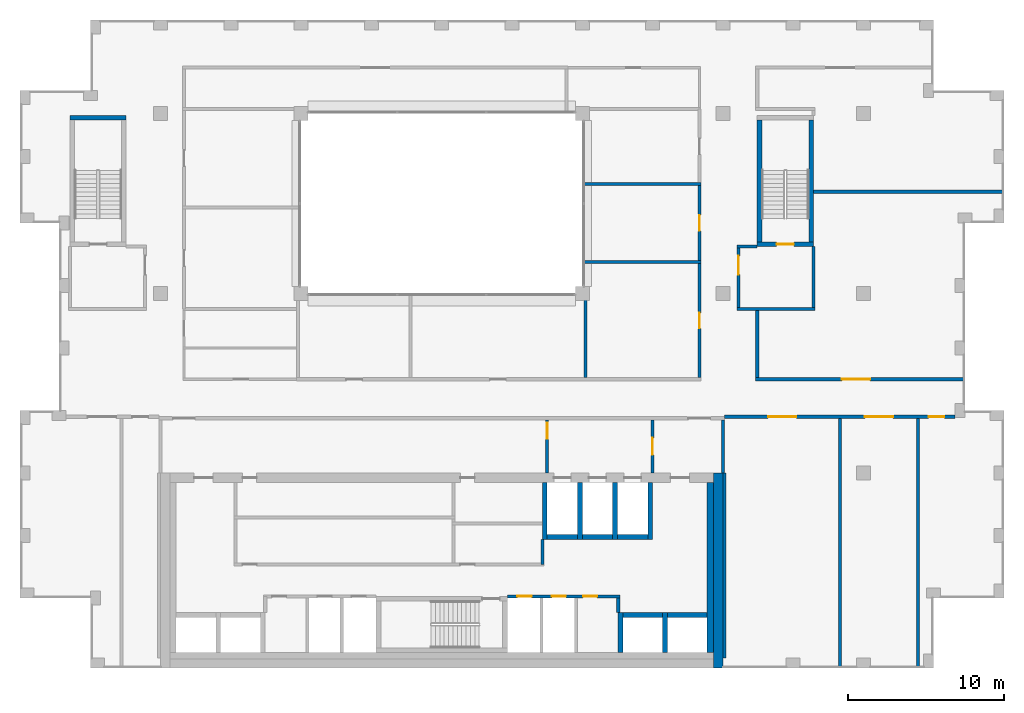
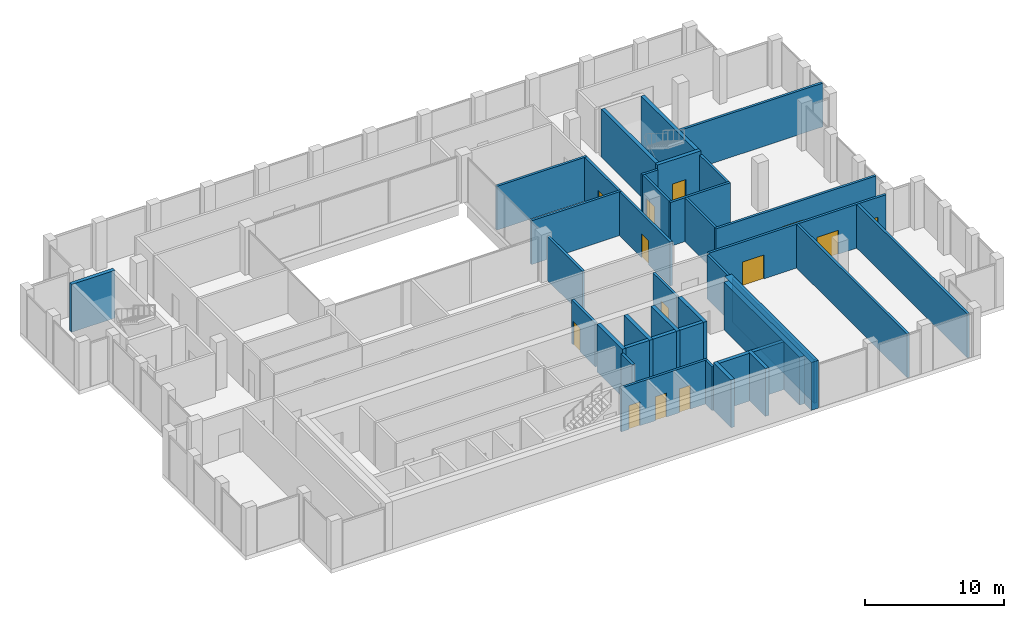
# One storey, part 12 of 15: 39 walls, 13 doors, 13 openings.
"""IFC4 building model written with IfcOpenShell, lengths in metres."""

from ifc_helpers import new_model, si_unit, direction, frame, frame_2d, origin, place, context, subcontext, project, spatial, rectangle, extrude, material, layer, layer_set, type_object, element, fill, save


model = new_model("IFC4")

# Units and contexts
model_context = context("Model", 3, precision=1e-05, world=origin(), true_north=direction((0.0, 1.0)))
body_context = subcontext(model_context, "Body", "Model", "MODEL_VIEW")
ifc_project = project(units=[si_unit("LENGTHUNIT", "METRE"), si_unit("AREAUNIT", "SQUARE_METRE"), si_unit("VOLUMEUNIT", "CUBIC_METRE"), si_unit("PLANEANGLEUNIT", "RADIAN"), si_unit("MASSUNIT", "GRAM", prefix="KILO")], contexts=[model_context])

# Site, building, storey
site_placement = place(None, origin())
site = spatial("IfcSite", under=ifc_project, at=site_placement, CompositionType="ELEMENT")
building_placement = place(site_placement, origin())
building = spatial("IfcBuilding", under=site, at=building_placement, Name="Brigalow Station Residences", CompositionType="ELEMENT")
storey_placement = place(building_placement, frame((0.0, 0.0, 235.800048828125)))
storey = spatial("IfcBuildingStorey", under=building, at=storey_placement, Name="L68", CompositionType="ELEMENT", Elevation=235.800048828125)

# Walls
ifc_material_1 = material(Name="Concrete C50", Category="concrete")
ifc_layer_1 = layer(ifc_material_1, 0.300048828125)
ifc_layer_set_1 = layer_set([ifc_layer_1], Name="CORE SHEAR WALL 300 C50")
wall_type_1 = type_object("IfcWallType", Name="CORE SHEAR WALL 300 C50", PredefinedType="SHEAR", material=ifc_layer_set_1)
wall_1_placement = place(storey_placement, frame((42.75, 8.39990234375, 0.0), z_axis=(0.0, 0.0, 1.0), x_axis=(1.0, 0.0, 0.0)))
element("IfcWall", 1, at=wall_1_placement, inside=storey, type_object=wall_type_1, Name="CORE WALL SH-FF1-S L68", PredefinedType="SHEAR", context=body_context, shape_type="SweptSolid", body=[
    extrude(rectangle(XDim=1.949951171875, YDim=0.300048828125, at=frame_2d((0.97509765625, 0.0))), origin(), (0.0, 0.0, 1.0), 4.199951171875),
])
wall_2_placement = place(storey_placement, frame((42.60009765625, 8.25, 0.0), z_axis=(0.0, 0.0, 1.0), x_axis=(0.0, 1.0, 0.0)))
element("IfcWall", 2, at=wall_2_placement, inside=storey, type_object=wall_type_1, Name="CORE WALL SH-FF1-W L68", PredefinedType="SHEAR", context=body_context, shape_type="SweptSolid", body=[
    extrude(rectangle(XDim=3.64990234375, YDim=0.300048828125, at=frame_2d((1.824951171875, 0.0))), origin(), (0.0, 0.0, 1.0), 4.199951171875),
])
wall_3_placement = place(storey_placement, frame((45.0, 8.39990234375, 0.0), z_axis=(0.0, 0.0, 1.0), x_axis=(1.0, 0.0, 0.0)))
element("IfcWall", 3, at=wall_3_placement, inside=storey, type_object=wall_type_1, Name="CORE WALL SH-FF2-S L68", PredefinedType="SHEAR", context=body_context, shape_type="SweptSolid", body=[
    extrude(rectangle(XDim=1.949951171875, YDim=0.300048828125, at=frame_2d((0.97509765625, 0.0))), origin(), (0.0, 0.0, 1.0), 4.199951171875),
])
wall_4_placement = place(storey_placement, frame((44.85009765625, 8.25, 0.0), z_axis=(0.0, 0.0, 1.0), x_axis=(0.0, 1.0, 0.0)))
element("IfcWall", 4, at=wall_4_placement, inside=storey, type_object=wall_type_1, Name="CORE WALL SH-FF2-W L68", PredefinedType="SHEAR", context=body_context, shape_type="SweptSolid", body=[
    extrude(rectangle(XDim=3.64990234375, YDim=0.300048828125, at=frame_2d((1.824951171875, 0.0))), origin(), (0.0, 0.0, 1.0), 4.199951171875),
])
wall_5_placement = place(storey_placement, frame((47.25, 8.39990234375, 0.0), z_axis=(0.0, 0.0, 1.0), x_axis=(1.0, 0.0, 0.0)))
element("IfcWall", 5, at=wall_5_placement, inside=storey, type_object=wall_type_1, Name="CORE WALL SH-SL1-S L68", PredefinedType="SHEAR", context=body_context, shape_type="SweptSolid", body=[
    extrude(rectangle(XDim=1.949951171875, YDim=0.300048828125, at=frame_2d((0.97509765625, 0.0))), origin(), (0.0, 0.0, 1.0), 4.199951171875),
])
for number, where, z_axis, x_axis, name in (
    (6, (47.10009765625, 8.25, 0.0), (0.0, 0.0, 1.0), (0.0, 1.0, 0.0), "CORE WALL SH-SL1-W L68"),
    (7, (49.35009765625, 8.25, 0.0), (0.0, 0.0, 1.0), (0.0, 1.0, 0.0), "CORE WALL SH-SL1-E L68"),
):
    element("IfcWall", number, at=place(storey_placement, frame(where, z_axis=z_axis, x_axis=x_axis)), inside=storey, type_object=wall_type_1, Name=name, PredefinedType="SHEAR", context=body_context, shape_type="SweptSolid", body=[
        extrude(rectangle(XDim=3.64990234375, YDim=0.300048828125, at=frame_2d((1.824951171875, 0.0))), origin(), (0.0, 0.0, 1.0), 4.199951171875),
    ])
wall_6_placement = place(storey_placement, frame((47.60009765625, 3.39990234375, 0.0), z_axis=(0.0, 0.0, 1.0), x_axis=(1.0, 0.0, 0.0)))
element("IfcWall", 8, at=wall_6_placement, inside=storey, type_object=wall_type_1, Name="CORE WALL SH-C3-N L68", PredefinedType="SHEAR", context=body_context, shape_type="SweptSolid", body=[
    extrude(rectangle(XDim=2.5498046875, YDim=0.300048828125, at=frame_2d((1.27490234375, 0.0))), origin(), (0.0, 0.0, 1.0), 4.199951171875),
])
for number, where, z_axis, x_axis, name in (
    (9, (47.449951171875, 1.0, 0.0), (0.0, 0.0, 1.0), (0.0, 1.0, 0.0), "CORE WALL SH-C3-W L68"),
    (10, (50.449951171875, 3.39990234375, 0.0), (0.0, 0.0, 1.0), (1.0, 0.0, 0.0), "CORE WALL SH-C4-N L68"),
    (11, (50.300048828125, 1.0, 0.0), (0.0, 0.0, 1.0), (0.0, 1.0, 0.0), "CORE WALL SH-C4-W L68"),
):
    element("IfcWall", number, at=place(storey_placement, frame(where, z_axis=z_axis, x_axis=x_axis)), inside=storey, type_object=wall_type_1, Name=name, PredefinedType="SHEAR", context=body_context, shape_type="SweptSolid", body=[
        extrude(rectangle(XDim=2.550048828125, YDim=0.300048828125, at=frame_2d((1.27490234375, 0.0))), origin(), (0.0, 0.0, 1.0), 4.199951171875),
    ])
wall_7_placement = place(storey_placement, frame((12.199951171875, 35.25, 0.0), z_axis=(0.0, 0.0, 1.0), x_axis=(1.0, 0.0, 0.0)))
element("IfcWall", 12, at=wall_7_placement, inside=storey, type_object=wall_type_1, Name="CORE WALL ST-S1-N L68", PredefinedType="SHEAR", context=body_context, shape_type="SweptSolid", body=[
    extrude(rectangle(XDim=3.60009765625, YDim=0.300048828125, at=frame_2d((1.800048828125, 0.0))), origin(), (0.0, 0.0, 1.0), 4.199951171875),
])

# Wall, opening, door
wall_8_placement = place(storey_placement, frame((56.199951171875, 27.14990234375, 0.0), z_axis=(0.0, 0.0, 1.0), x_axis=(1.0, 0.0, 0.0)))
wall_8 = element("IfcWall", 13, at=wall_8_placement, inside=storey, type_object=wall_type_1, Name="CORE WALL ST-S3-S L68", PredefinedType="SHEAR", context=body_context, shape_type="SweptSolid", body=[
    extrude(rectangle(XDim=3.60009765625, YDim=0.300048828125, at=frame_2d((1.800048828125, 0.0))), origin(), (0.0, 0.0, 1.0), 4.199951171875),
])
opening_1_placement = place(wall_8_placement, frame((1.25, 0.0, 0.0)))
opening_1 = element("IfcOpeningElement", 14, at=opening_1_placement, cuts=wall_8, Name="Opening D-5018", PredefinedType="OPENING", context=body_context, shape_type="SweptSolid", body=[
    extrude(rectangle(XDim=1.10009765625, YDim=2.10009765625, at=frame_2d((0.550048828125, 1.050048828125))), frame((0.0, 0.16015625, 0.0), z_axis=(0.0, -1.0, 0.0), x_axis=(1.0, 0.0, 0.0)), (0.0, 0.0, 1.0), 0.320068359375),
])
ifc_material_2 = material(Name="Steel fire door leaf in steel frame", Category="steel")
door_type_1 = type_object("IfcDoorType", Name="STAIR DOOR 1100 x 2100 FD60S", OperationType="SINGLE_SWING_LEFT", PredefinedType="DOOR", material=ifc_material_2)
door_1_placement = place(opening_1_placement, origin())
door_1 = element("IfcDoor", 15, at=door_1_placement, inside=storey, type_object=door_type_1, Name="D-5018", OperationType="SINGLE_SWING_RIGHT", OverallHeight=2.10009765625, OverallWidth=1.10009765625, PredefinedType="DOOR", context=body_context, shape_type="SweptSolid", body=[
    extrude(rectangle(XDim=1.10009765625, YDim=2.10009765625, at=frame_2d((0.550048828125, 1.050048828125))), frame((0.0, 0.02490234375, 0.0), z_axis=(0.0, -1.0, 0.0), x_axis=(1.0, 0.0, 0.0)), (0.0, 0.0, 1.0), 0.050048828125),
])
fill(opening_1, door_1)

# Walls
for number, where, z_axis, x_axis, name in (
    (16, (56.35009765625, 27.300048828125, 0.0), (0.0, 0.0, 1.0), (0.0, 1.0, 0.0), "CORE WALL ST-S3-W L68"),
    (17, (59.64990234375, 27.300048828125, 0.0), (0.0, 0.0, 1.0), (0.0, 1.0, 0.0), "CORE WALL ST-S3-E L68"),
):
    element("IfcWall", number, at=place(storey_placement, frame(where, z_axis=z_axis, x_axis=x_axis)), inside=storey, type_object=wall_type_1, Name=name, PredefinedType="SHEAR", context=body_context, shape_type="SweptSolid", body=[
        extrude(rectangle(XDim=7.800048828125, YDim=0.300048828125, at=frame_2d((3.89990234375, 0.0))), origin(), (0.0, 0.0, 1.0), 4.199951171875),
    ])
ifc_material_3 = material(Name="Concrete C50", Category="concrete")
ifc_layer_2 = layer(ifc_material_3, 0.39990234375)
ifc_layer_set_2 = layer_set([ifc_layer_2], Name="CORE SHEAR WALL 400 C50")
wall_type_2 = type_object("IfcWallType", Name="CORE SHEAR WALL 400 C50", PredefinedType="SHEAR", material=ifc_layer_set_2)
wall_9_placement = place(storey_placement, frame((53.199951171875, 1.0, 0.0), z_axis=(0.0, 0.0, 1.0), x_axis=(0.0, 1.0, 0.0)))
element("IfcWall", 18, at=wall_9_placement, inside=storey, type_object=wall_type_2, Name="CORE WALL LIN-E L68", PredefinedType="SHEAR", context=body_context, shape_type="SweptSolid", body=[
    extrude(rectangle(XDim=10.89990234375, YDim=0.39990234375, at=frame_2d((5.449951171875, 0.0))), origin(), (0.0, 0.0, 1.0), 4.199951171875),
])
ifc_material_4 = material(Name="Concrete C50", Category="concrete")
ifc_layer_3 = layer(ifc_material_4, 0.60009765625)
ifc_layer_set_3 = layer_set([ifc_layer_3], Name="CORE SHEAR WALL 600 C50")
wall_type_3 = type_object("IfcWallType", Name="CORE SHEAR WALL 600 C50", PredefinedType="SHEAR", material=ifc_layer_set_3)
wall_10_placement = place(storey_placement, frame((53.699951171875, 0.0, 0.0), z_axis=(0.0, 0.0, 1.0), x_axis=(0.0, 1.0, 0.0)))
element("IfcWall", 19, at=wall_10_placement, inside=storey, type_object=wall_type_3, Name="CORE WALL OUT-E L68", PredefinedType="SHEAR", context=body_context, shape_type="SweptSolid", body=[
    extrude(rectangle(XDim=12.5, YDim=0.60009765625, at=frame_2d((6.25, 0.0))), origin(), (0.0, 0.0, 1.0), 4.199951171875),
])

# Wall, openings, doors
ifc_material_5 = material(Name="Concrete blockwork", Category="masonry")
ifc_layer_4 = layer(ifc_material_5, 0.199951171875)
ifc_layer_set_4 = layer_set([ifc_layer_4], Name="FIRE RATED CORE PARTITION 200")
wall_type_4 = type_object("IfcWallType", Name="FIRE RATED CORE PARTITION 200", PredefinedType="PARTITIONING", material=ifc_layer_set_4)
wall_11_placement = place(storey_placement, frame((40.199951171875, 4.60009765625, 0.0), z_axis=(0.0, 0.0, 1.0), x_axis=(1.0, 0.0, 0.0)))
wall_11 = element("IfcWall", 20, at=wall_11_placement, inside=storey, type_object=wall_type_4, Name="PW-5244", PredefinedType="PARTITIONING", context=body_context, shape_type="SweptSolid", body=[
    extrude(rectangle(XDim=7.199951171875, YDim=0.199951171875, at=frame_2d((3.60009765625, 0.0))), origin(), (0.0, 0.0, 1.0), 3.849853515625),
])
opening_2_placement = place(wall_11_placement, frame((4.85009765625, 0.0, 0.0)))
opening_2 = element("IfcOpeningElement", 21, at=opening_2_placement, cuts=wall_11, Name="Opening D-5005", PredefinedType="OPENING", context=body_context, shape_type="SweptSolid", body=[
    extrude(rectangle(XDim=0.89990234375, YDim=2.10009765625, at=frame_2d((0.449951171875, 1.050048828125))), frame((0.0, 0.10986328125, 0.0), z_axis=(0.0, -1.0, 0.0), x_axis=(1.0, 0.0, 0.0)), (0.0, 0.0, 1.0), 0.219970703125),
])
opening_3_placement = place(wall_11_placement, frame((0.64990234375, 0.0, 0.0)))
opening_3 = element("IfcOpeningElement", 22, at=opening_3_placement, cuts=wall_11, Name="Opening D-5009", PredefinedType="OPENING", context=body_context, shape_type="SweptSolid", body=[
    extrude(rectangle(XDim=0.89990234375, YDim=2.10009765625, at=frame_2d((0.449951171875, 1.050048828125))), frame((0.0, 0.10986328125, 0.0), z_axis=(0.0, -1.0, 0.0), x_axis=(1.0, 0.0, 0.0)), (0.0, 0.0, 1.0), 0.219970703125),
])
opening_4_placement = place(wall_11_placement, frame((2.85009765625, 0.0, 0.0)))
opening_4 = element("IfcOpeningElement", 23, at=opening_4_placement, cuts=wall_11, Name="Opening D-5010", PredefinedType="OPENING", context=body_context, shape_type="SweptSolid", body=[
    extrude(rectangle(XDim=0.89990234375, YDim=2.10009765625, at=frame_2d((0.449951171875, 1.050048828125))), frame((0.0, 0.10986328125, 0.0), z_axis=(0.0, -1.0, 0.0), x_axis=(1.0, 0.0, 0.0)), (0.0, 0.0, 1.0), 0.219970703125),
])
ifc_material_6 = material(Name="Steel fire door leaf in steel frame", Category="steel")
door_type_2 = type_object("IfcDoorType", Name="PLANT ROOM DOOR 900 x 2100 FD60", OperationType="SINGLE_SWING_LEFT", PredefinedType="DOOR", material=ifc_material_6)
door_2_placement = place(opening_2_placement, frame((0.89990234375, 0.0, 0.0), z_axis=(0.0, 0.0, 1.0), x_axis=(-1.0, 0.0, 0.0)))
door_2 = element("IfcDoor", 24, at=door_2_placement, inside=storey, type_object=door_type_2, Name="D-5005", OperationType="SINGLE_SWING_RIGHT", OverallHeight=2.10009765625, OverallWidth=0.89990234375, PredefinedType="DOOR", context=body_context, shape_type="SweptSolid", body=[
    extrude(rectangle(XDim=0.89990234375, YDim=2.10009765625, at=frame_2d((0.449951171875, 1.050048828125))), frame((0.0, 0.02490234375, 0.0), z_axis=(0.0, -1.0, 0.0), x_axis=(1.0, 0.0, 0.0)), (0.0, 0.0, 1.0), 0.050048828125),
])
fill(opening_2, door_2)
ifc_material_7 = material(Name="Steel fire door leaf in steel frame", Category="steel")
door_type_3 = type_object("IfcDoorType", Name="RISER ACCESS DOOR 900 x 2100 FD120", OperationType="SINGLE_SWING_LEFT", PredefinedType="DOOR", material=ifc_material_7)
door_3_placement = place(opening_3_placement, frame((0.89990234375, 0.0, 0.0), z_axis=(0.0, 0.0, 1.0), x_axis=(-1.0, 0.0, 0.0)))
door_3 = element("IfcDoor", 25, at=door_3_placement, inside=storey, type_object=door_type_3, Name="D-5009", OperationType="SINGLE_SWING_LEFT", OverallHeight=2.10009765625, OverallWidth=0.89990234375, PredefinedType="DOOR", context=body_context, shape_type="SweptSolid", body=[
    extrude(rectangle(XDim=0.89990234375, YDim=2.10009765625, at=frame_2d((0.449951171875, 1.050048828125))), frame((0.0, 0.02490234375, 0.0), z_axis=(0.0, -1.0, 0.0), x_axis=(1.0, 0.0, 0.0)), (0.0, 0.0, 1.0), 0.050048828125),
])
fill(opening_3, door_3)
door_4_placement = place(opening_4_placement, frame((0.89990234375, 0.0, 0.0), z_axis=(0.0, 0.0, 1.0), x_axis=(-1.0, 0.0, 0.0)))
door_4 = element("IfcDoor", 26, at=door_4_placement, inside=storey, type_object=door_type_3, Name="D-5010", OperationType="SINGLE_SWING_LEFT", OverallHeight=2.10009765625, OverallWidth=0.89990234375, PredefinedType="DOOR", context=body_context, shape_type="SweptSolid", body=[
    extrude(rectangle(XDim=0.89990234375, YDim=2.10009765625, at=frame_2d((0.449951171875, 1.050048828125))), frame((0.0, 0.02490234375, 0.0), z_axis=(0.0, -1.0, 0.0), x_axis=(1.0, 0.0, 0.0)), (0.0, 0.0, 1.0), 0.050048828125),
])
fill(opening_4, door_4)

# Walls
wall_12_placement = place(storey_placement, frame((54.89990234375, 23.0, 0.0), z_axis=(0.0, 0.0, 1.0), x_axis=(1.0, 0.0, 0.0)))
element("IfcWall", 27, at=wall_12_placement, inside=storey, type_object=wall_type_4, Name="PW-5024", PredefinedType="PARTITIONING", context=body_context, shape_type="SweptSolid", body=[
    extrude(rectangle(XDim=5.0, YDim=0.199951171875, at=frame_2d((2.5, 0.0))), origin(), (0.0, 0.0, 1.0), 3.849853515625),
])
wall_13_placement = place(storey_placement, frame((54.89990234375, 27.0, 0.0), z_axis=(0.0, 0.0, 1.0), x_axis=(1.0, 0.0, 0.0)))
element("IfcWall", 28, at=wall_13_placement, inside=storey, type_object=wall_type_4, Name="PW-5026", PredefinedType="PARTITIONING", context=body_context, shape_type="SweptSolid", body=[
    extrude(rectangle(XDim=1.300048828125, YDim=0.199951171875, at=frame_2d((0.64990234375, 0.0))), origin(), (0.0, 0.0, 1.0), 3.849853515625),
])
wall_14_placement = place(storey_placement, frame((47.300048828125, 3.550048828125, 0.0), z_axis=(0.0, 0.0, 1.0), x_axis=(0.0, 1.0, 0.0)))
element("IfcWall", 29, at=wall_14_placement, inside=storey, type_object=wall_type_4, Name="PW-5251", PredefinedType="PARTITIONING", context=body_context, shape_type="SweptSolid", body=[
    extrude(rectangle(XDim=0.949951171875, YDim=0.199951171875, at=frame_2d((0.47509765625, 0.0))), origin(), (0.0, 0.0, 1.0), 3.849853515625),
])
wall_15_placement = place(storey_placement, frame((42.449951171875, 6.64990234375, 0.0), z_axis=(0.0, 0.0, 1.0), x_axis=(0.0, 1.0, 0.0)))
element("IfcWall", 30, at=wall_15_placement, inside=storey, type_object=wall_type_4, Name="PW-5011", PredefinedType="PARTITIONING", context=body_context, shape_type="SweptSolid", body=[
    extrude(rectangle(XDim=1.60009765625, YDim=0.199951171875, at=frame_2d((0.800048828125, 0.0))), origin(), (0.0, 0.0, 1.0), 3.849853515625),
])

# Wall, opening, door
wall_16_placement = place(storey_placement, frame((42.75, 12.5, 0.0), z_axis=(0.0, 0.0, 1.0), x_axis=(0.0, 1.0, 0.0)))
wall_16 = element("IfcWall", 31, at=wall_16_placement, inside=storey, type_object=wall_type_4, Name="PW-5014", PredefinedType="PARTITIONING", context=body_context, shape_type="SweptSolid", body=[
    extrude(rectangle(XDim=3.39990234375, YDim=0.199951171875, at=frame_2d((1.699951171875, 0.0))), origin(), (0.0, 0.0, 1.0), 3.849853515625),
])
opening_5_placement = place(wall_16_placement, frame((2.199951171875, 0.0, 0.0)))
opening_5 = element("IfcOpeningElement", 32, at=opening_5_placement, cuts=wall_16, Name="Opening D-5013", PredefinedType="OPENING", context=body_context, shape_type="SweptSolid", body=[
    extrude(rectangle(XDim=1.0, YDim=2.10009765625, at=frame_2d((0.5, 1.050048828125))), frame((0.0, 0.10986328125, 0.0), z_axis=(0.0, -1.0, 0.0), x_axis=(1.0, 0.0, 0.0)), (0.0, 0.0, 1.0), 0.219970703125),
])
ifc_material_8 = material(Name="Steel fire door leaf in steel frame", Category="steel")
door_type_4 = type_object("IfcDoorType", Name="LOBBY DOOR 1000 x 2100 FD60S", OperationType="SINGLE_SWING_LEFT", PredefinedType="DOOR", material=ifc_material_8)
door_5_placement = place(opening_5_placement, origin())
door_5 = element("IfcDoor", 33, at=door_5_placement, inside=storey, type_object=door_type_4, Name="D-5013", OperationType="SINGLE_SWING_RIGHT", OverallHeight=2.10009765625, OverallWidth=1.0, PredefinedType="DOOR", context=body_context, shape_type="SweptSolid", body=[
    extrude(rectangle(XDim=1.0, YDim=2.10009765625, at=frame_2d((0.5, 1.050048828125))), frame((0.0, 0.02490234375, 0.0), z_axis=(0.0, -1.0, 0.0), x_axis=(1.0, 0.0, 0.0)), (0.0, 0.0, 1.0), 0.050048828125),
])
fill(opening_5, door_5)

wall_17_placement = place(storey_placement, frame((49.5, 12.5, 0.0), z_axis=(0.0, 0.0, 1.0), x_axis=(0.0, 1.0, 0.0)))
wall_17 = element("IfcWall", 34, at=wall_17_placement, inside=storey, type_object=wall_type_4, Name="PW-5015", PredefinedType="PARTITIONING", context=body_context, shape_type="SweptSolid", body=[
    extrude(rectangle(XDim=3.39990234375, YDim=0.199951171875, at=frame_2d((1.699951171875, 0.0))), origin(), (0.0, 0.0, 1.0), 3.849853515625),
])
opening_6_placement = place(wall_17_placement, frame((1.14990234375, 0.0, 0.0)))
opening_6 = element("IfcOpeningElement", 35, at=opening_6_placement, cuts=wall_17, Name="Opening D-5014", PredefinedType="OPENING", context=body_context, shape_type="SweptSolid", body=[
    extrude(rectangle(XDim=1.10009765625, YDim=2.10009765625, at=frame_2d((0.550048828125, 1.050048828125))), frame((0.0, 0.10986328125, 0.0), z_axis=(0.0, -1.0, 0.0), x_axis=(1.0, 0.0, 0.0)), (0.0, 0.0, 1.0), 0.219970703125),
])
ifc_material_9 = material(Name="Steel fire door leaf in steel frame", Category="steel")
door_type_5 = type_object("IfcDoorType", Name="LOBBY DOOR 1100 x 2100 FD60S", OperationType="SINGLE_SWING_LEFT", PredefinedType="DOOR", material=ifc_material_9)
door_6_placement = place(opening_6_placement, origin())
door_6 = element("IfcDoor", 36, at=door_6_placement, inside=storey, type_object=door_type_5, Name="D-5014", OperationType="SINGLE_SWING_LEFT", OverallHeight=2.10009765625, OverallWidth=1.10009765625, PredefinedType="DOOR", context=body_context, shape_type="SweptSolid", body=[
    extrude(rectangle(XDim=1.10009765625, YDim=2.10009765625, at=frame_2d((0.550048828125, 1.050048828125))), frame((0.0, 0.02490234375, 0.0), z_axis=(0.0, -1.0, 0.0), x_axis=(1.0, 0.0, 0.0)), (0.0, 0.0, 1.0), 0.050048828125),
])
fill(opening_6, door_6)

# Wall
wall_18_placement = place(storey_placement, frame((54.0, 12.5, 0.0), z_axis=(0.0, 0.0, 1.0), x_axis=(0.0, 1.0, 0.0)))
element("IfcWall", 37, at=wall_18_placement, inside=storey, type_object=wall_type_4, Name="PW-5016", PredefinedType="PARTITIONING", context=body_context, shape_type="SweptSolid", body=[
    extrude(rectangle(XDim=3.39990234375, YDim=0.199951171875, at=frame_2d((1.699951171875, 0.0))), origin(), (0.0, 0.0, 1.0), 3.849853515625),
])

# Wall, opening, door
wall_19_placement = place(storey_placement, frame((55.0, 23.10009765625, 0.0), z_axis=(0.0, 0.0, 1.0), x_axis=(0.0, 1.0, 0.0)))
wall_19 = element("IfcWall", 38, at=wall_19_placement, inside=storey, type_object=wall_type_4, Name="PW-5036", PredefinedType="PARTITIONING", context=body_context, shape_type="SweptSolid", body=[
    extrude(rectangle(XDim=3.7998046875, YDim=0.199951171875, at=frame_2d((1.89990234375, 0.0))), origin(), (0.0, 0.0, 1.0), 3.849853515625),
])
opening_7_placement = place(wall_19_placement, frame((2.10009765625, 0.0, 0.0)))
opening_7 = element("IfcOpeningElement", 39, at=opening_7_placement, cuts=wall_19, Name="Opening D-5019", PredefinedType="OPENING", context=body_context, shape_type="SweptSolid", body=[
    extrude(rectangle(XDim=1.199951171875, YDim=2.10009765625, at=frame_2d((0.60009765625, 1.050048828125))), frame((0.0, 0.10986328125, 0.0), z_axis=(0.0, -1.0, 0.0), x_axis=(1.0, 0.0, 0.0)), (0.0, 0.0, 1.0), 0.219970703125),
])
ifc_material_10 = material(Name="Steel fire door leaf in steel frame", Category="steel")
door_type_6 = type_object("IfcDoorType", Name="STAIR LOBBY DOOR 1200 x 2100 FD60S", OperationType="SINGLE_SWING_LEFT", PredefinedType="DOOR", material=ifc_material_10)
door_7_placement = place(opening_7_placement, origin())
door_7 = element("IfcDoor", 40, at=door_7_placement, inside=storey, type_object=door_type_6, Name="D-5019", OperationType="SINGLE_SWING_LEFT", OverallHeight=2.10009765625, OverallWidth=1.199951171875, PredefinedType="DOOR", context=body_context, shape_type="SweptSolid", body=[
    extrude(rectangle(XDim=1.199951171875, YDim=2.10009765625, at=frame_2d((0.60009765625, 1.050048828125))), frame((0.0, 0.02490234375, 0.0), z_axis=(0.0, -1.0, 0.0), x_axis=(1.0, 0.0, 0.0)), (0.0, 0.0, 1.0), 0.050048828125),
])
fill(opening_7, door_7)

# Wall
wall_20_placement = place(storey_placement, frame((59.800048828125, 23.10009765625, 0.0), z_axis=(0.0, 0.0, 1.0), x_axis=(0.0, 1.0, 0.0)))
element("IfcWall", 41, at=wall_20_placement, inside=storey, type_object=wall_type_4, Name="PW-5037", PredefinedType="PARTITIONING", context=body_context, shape_type="SweptSolid", body=[
    extrude(rectangle(XDim=3.89990234375, YDim=0.199951171875, at=frame_2d((1.949951171875, 0.0))), origin(), (0.0, 0.0, 1.0), 3.849853515625),
])

# Wall, openings, doors
wall_21_placement = place(storey_placement, frame((54.10009765625, 16.10009765625, 0.0), z_axis=(0.0, 0.0, 1.0), x_axis=(1.0, 0.0, 0.0)))
wall_21 = element("IfcWall", 42, at=wall_21_placement, inside=storey, type_object=wall_type_4, Name="PW-5300", PredefinedType="PARTITIONING", context=body_context, shape_type="SweptSolid", body=[
    extrude(rectangle(XDim=14.75, YDim=0.199951171875, at=frame_2d((7.375, 0.0))), origin(), (0.0, 0.0, 1.0), 3.849853515625),
])
opening_8_placement = place(wall_21_placement, frame((2.800048828125, 0.0, 0.0)))
opening_8 = element("IfcOpeningElement", 43, at=opening_8_placement, cuts=wall_21, Name="Opening D-5150", PredefinedType="OPENING", context=body_context, shape_type="SweptSolid", body=[
    extrude(rectangle(XDim=1.800048828125, YDim=2.10009765625, at=frame_2d((0.89990234375, 1.050048828125))), frame((0.0, 0.10986328125, 0.0), z_axis=(0.0, -1.0, 0.0), x_axis=(1.0, 0.0, 0.0)), (0.0, 0.0, 1.0), 0.219970703125),
])
opening_9_placement = place(wall_21_placement, frame((9.0, 0.0, 0.0)))
opening_9 = element("IfcOpeningElement", 44, at=opening_9_placement, cuts=wall_21, Name="Opening D-5151", PredefinedType="OPENING", context=body_context, shape_type="SweptSolid", body=[
    extrude(rectangle(XDim=1.800048828125, YDim=2.10009765625, at=frame_2d((0.89990234375, 1.050048828125))), frame((0.0, 0.10986328125, 0.0), z_axis=(0.0, -1.0, 0.0), x_axis=(1.0, 0.0, 0.0)), (0.0, 0.0, 1.0), 0.219970703125),
])
opening_10_placement = place(wall_21_placement, frame((13.074951171875, 0.0, 0.0)))
opening_10 = element("IfcOpeningElement", 45, at=opening_10_placement, cuts=wall_21, Name="Opening D-5152", PredefinedType="OPENING", context=body_context, shape_type="SweptSolid", body=[
    extrude(rectangle(XDim=1.0, YDim=2.10009765625, at=frame_2d((0.5, 1.050048828125))), frame((0.0, 0.10986328125, 0.0), z_axis=(0.0, -1.0, 0.0), x_axis=(1.0, 0.0, 0.0)), (0.0, 0.0, 1.0), 0.219970703125),
])
ifc_material_11 = material(Name="Steel fire door leaf in steel frame", Category="steel")
door_type_7 = type_object("IfcDoorType", Name="PLANT ROOM DOOR 1000 x 2100 FD60", OperationType="SINGLE_SWING_LEFT", PredefinedType="DOOR", material=ifc_material_11)
door_8_placement = place(opening_10_placement, frame((1.0, 0.0, 0.0), z_axis=(0.0, 0.0, 1.0), x_axis=(-1.0, 0.0, 0.0)))
door_8 = element("IfcDoor", 46, at=door_8_placement, inside=storey, type_object=door_type_7, Name="D-5152", OperationType="SINGLE_SWING_RIGHT", OverallHeight=2.10009765625, OverallWidth=1.0, PredefinedType="DOOR", context=body_context, shape_type="SweptSolid", body=[
    extrude(rectangle(XDim=1.0, YDim=2.10009765625, at=frame_2d((0.5, 1.050048828125))), frame((0.0, 0.02490234375, 0.0), z_axis=(0.0, -1.0, 0.0), x_axis=(1.0, 0.0, 0.0)), (0.0, 0.0, 1.0), 0.050048828125),
])
fill(opening_10, door_8)
ifc_material_12 = material(Name="Steel fire door leaf in steel frame", Category="steel")
door_type_8 = type_object("IfcDoorType", Name="PLANT ROOM DOOR 1800 x 2100 FD60", OperationType="DOUBLE_DOOR_SINGLE_SWING", PredefinedType="DOOR", material=ifc_material_12)
door_9_placement = place(opening_8_placement, frame((1.800048828125, 0.0, 0.0), z_axis=(0.0, 0.0, 1.0), x_axis=(-1.0, 0.0, 0.0)))
door_9 = element("IfcDoor", 47, at=door_9_placement, inside=storey, type_object=door_type_8, Name="D-5150", OperationType="DOUBLE_DOOR_SINGLE_SWING", OverallHeight=2.10009765625, OverallWidth=1.800048828125, PredefinedType="DOOR", context=body_context, shape_type="SweptSolid", body=[
    extrude(rectangle(XDim=1.800048828125, YDim=2.10009765625, at=frame_2d((0.89990234375, 1.050048828125))), frame((0.0, 0.02490234375, 0.0), z_axis=(0.0, -1.0, 0.0), x_axis=(1.0, 0.0, 0.0)), (0.0, 0.0, 1.0), 0.050048828125),
])
fill(opening_8, door_9)
door_10_placement = place(opening_9_placement, frame((1.800048828125, 0.0, 0.0), z_axis=(0.0, 0.0, 1.0), x_axis=(-1.0, 0.0, 0.0)))
door_10 = element("IfcDoor", 48, at=door_10_placement, inside=storey, type_object=door_type_8, Name="D-5151", OperationType="DOUBLE_DOOR_SINGLE_SWING", OverallHeight=2.10009765625, OverallWidth=1.800048828125, PredefinedType="DOOR", context=body_context, shape_type="SweptSolid", body=[
    extrude(rectangle(XDim=1.800048828125, YDim=2.10009765625, at=frame_2d((0.89990234375, 1.050048828125))), frame((0.0, 0.02490234375, 0.0), z_axis=(0.0, -1.0, 0.0), x_axis=(1.0, 0.0, 0.0)), (0.0, 0.0, 1.0), 0.050048828125),
])
fill(opening_9, door_10)

# Wall, opening, door
wall_22_placement = place(storey_placement, frame((56.10009765625, 18.5, 0.0), z_axis=(0.0, 0.0, 1.0), x_axis=(1.0, 0.0, 0.0)))
wall_22 = element("IfcWall", 49, at=wall_22_placement, inside=storey, type_object=wall_type_4, Name="PW-5302", PredefinedType="PARTITIONING", context=body_context, shape_type="SweptSolid", body=[
    extrude(rectangle(XDim=13.306884765625, YDim=0.199951171875, at=frame_2d((6.6533203125, 0.0))), origin(), (0.0, 0.0, 1.0), 3.849853515625),
])
opening_11_placement = place(wall_22_placement, frame((5.52490234375, 0.0, 0.0)))
opening_11 = element("IfcOpeningElement", 50, at=opening_11_placement, cuts=wall_22, Name="Opening D-5161", PredefinedType="OPENING", context=body_context, shape_type="SweptSolid", body=[
    extrude(rectangle(XDim=1.800048828125, YDim=2.10009765625, at=frame_2d((0.89990234375, 1.050048828125))), frame((0.0, 0.10986328125, 0.0), z_axis=(0.0, -1.0, 0.0), x_axis=(1.0, 0.0, 0.0)), (0.0, 0.0, 1.0), 0.219970703125),
])
door_11_placement = place(opening_11_placement, origin())
door_11 = element("IfcDoor", 51, at=door_11_placement, inside=storey, type_object=door_type_8, Name="D-5161", OperationType="DOUBLE_DOOR_SINGLE_SWING", OverallHeight=2.10009765625, OverallWidth=1.800048828125, PredefinedType="DOOR", context=body_context, shape_type="SweptSolid", body=[
    extrude(rectangle(XDim=1.800048828125, YDim=2.10009765625, at=frame_2d((0.89990234375, 1.050048828125))), frame((0.0, 0.02490234375, 0.0), z_axis=(0.0, -1.0, 0.0), x_axis=(1.0, 0.0, 0.0)), (0.0, 0.0, 1.0), 0.050048828125),
])
fill(opening_11, door_11)

# Walls
wall_23_placement = place(storey_placement, frame((45.095947265625, 26.0, 0.0), z_axis=(0.0, 0.0, 1.0), x_axis=(1.0, 0.0, 0.0)))
element("IfcWall", 52, at=wall_23_placement, inside=storey, type_object=wall_type_4, Name="PW-5306", PredefinedType="PARTITIONING", context=body_context, shape_type="SweptSolid", body=[
    extrude(rectangle(XDim=7.504150390625, YDim=0.199951171875, at=frame_2d((3.751953125, 0.0))), origin(), (0.0, 0.0, 1.0), 3.849853515625),
])
wall_24_placement = place(storey_placement, frame((59.800048828125, 30.5, 0.0), z_axis=(0.0, 0.0, 1.0), x_axis=(1.0, 0.0, 0.0)))
element("IfcWall", 53, at=wall_24_placement, inside=storey, type_object=wall_type_4, Name="PW-5308", PredefinedType="PARTITIONING", context=body_context, shape_type="SweptSolid", body=[
    extrude(rectangle(XDim=12.10693359375, YDim=0.199951171875, at=frame_2d((6.053466796875, 0.0))), origin(), (0.0, 0.0, 1.0), 3.849853515625),
])
wall_25_placement = place(storey_placement, frame((45.095947265625, 31.0, 0.0), z_axis=(0.0, 0.0, 1.0), x_axis=(1.0, 0.0, 0.0)))
element("IfcWall", 54, at=wall_25_placement, inside=storey, type_object=wall_type_4, Name="PW-5309", PredefinedType="PARTITIONING", context=body_context, shape_type="SweptSolid", body=[
    extrude(rectangle(XDim=7.504150390625, YDim=0.199951171875, at=frame_2d((3.751953125, 0.0))), origin(), (0.0, 0.0, 1.0), 3.849853515625),
])
wall_26_placement = place(storey_placement, frame((54.10009765625, 0.64990234375, 0.0), z_axis=(0.0, 0.0, 1.0), x_axis=(0.0, 1.0, 0.0)))
element("IfcWall", 55, at=wall_26_placement, inside=storey, type_object=wall_type_4, Name="PW-5318", PredefinedType="PARTITIONING", context=body_context, shape_type="SweptSolid", body=[
    extrude(rectangle(XDim=11.85009765625, YDim=0.199951171875, at=frame_2d((5.925048828125, 0.0))), origin(), (0.0, 0.0, 1.0), 3.849853515625),
])
for number, where, z_axis, x_axis, name in (
    (56, (61.5, 0.093017578125, 0.0), (0.0, 0.0, 1.0), (0.0, 1.0, 0.0), "PW-5319"),
    (57, (66.5, 0.093017578125, 0.0), (0.0, 0.0, 1.0), (0.0, 1.0, 0.0), "PW-5320"),
):
    element("IfcWall", number, at=place(storey_placement, frame(where, z_axis=z_axis, x_axis=x_axis)), inside=storey, type_object=wall_type_4, Name=name, PredefinedType="PARTITIONING", context=body_context, shape_type="SweptSolid", body=[
        extrude(rectangle(XDim=15.906982421875, YDim=0.199951171875, at=frame_2d((7.95361328125, 0.0))), origin(), (0.0, 0.0, 1.0), 3.849853515625),
    ])
wall_27_placement = place(storey_placement, frame((45.199951171875, 18.60009765625, 0.0), z_axis=(0.0, 0.0, 1.0), x_axis=(0.0, 1.0, 0.0)))
element("IfcWall", 58, at=wall_27_placement, inside=storey, type_object=wall_type_4, Name="PW-5322", PredefinedType="PARTITIONING", context=body_context, shape_type="SweptSolid", body=[
    extrude(rectangle(XDim=5.099853515625, YDim=0.199951171875, at=frame_2d((2.5498046875, 0.0))), origin(), (0.0, 0.0, 1.0), 3.849853515625),
])

# Wall, opening, door
wall_28_placement = place(storey_placement, frame((52.5, 18.60009765625, 0.0), z_axis=(0.0, 0.0, 1.0), x_axis=(0.0, 1.0, 0.0)))
wall_28 = element("IfcWall", 59, at=wall_28_placement, inside=storey, type_object=wall_type_4, Name="PW-5323", PredefinedType="PARTITIONING", context=body_context, shape_type="SweptSolid", body=[
    extrude(rectangle(XDim=7.2998046875, YDim=0.199951171875, at=frame_2d((3.64990234375, 0.0))), origin(), (0.0, 0.0, 1.0), 3.849853515625),
])
opening_12_placement = place(wall_28_placement, frame((3.14990234375, 0.0, 0.0)))
opening_12 = element("IfcOpeningElement", 60, at=opening_12_placement, cuts=wall_28, Name="Opening D-5157", PredefinedType="OPENING", context=body_context, shape_type="SweptSolid", body=[
    extrude(rectangle(XDim=1.0, YDim=2.10009765625, at=frame_2d((0.5, 1.050048828125))), frame((0.0, 0.10986328125, 0.0), z_axis=(0.0, -1.0, 0.0), x_axis=(1.0, 0.0, 0.0)), (0.0, 0.0, 1.0), 0.219970703125),
])
door_12_placement = place(opening_12_placement, frame((1.0, 0.0, 0.0), z_axis=(0.0, 0.0, 1.0), x_axis=(-1.0, 0.0, 0.0)))
door_12 = element("IfcDoor", 61, at=door_12_placement, inside=storey, type_object=door_type_7, Name="D-5157", OperationType="SINGLE_SWING_RIGHT", OverallHeight=2.10009765625, OverallWidth=1.0, PredefinedType="DOOR", context=body_context, shape_type="SweptSolid", body=[
    extrude(rectangle(XDim=1.0, YDim=2.10009765625, at=frame_2d((0.5, 1.050048828125))), frame((0.0, 0.02490234375, 0.0), z_axis=(0.0, -1.0, 0.0), x_axis=(1.0, 0.0, 0.0)), (0.0, 0.0, 1.0), 0.050048828125),
])
fill(opening_12, door_12)

# Wall
wall_29_placement = place(storey_placement, frame((56.199951171875, 18.60009765625, 0.0), z_axis=(0.0, 0.0, 1.0), x_axis=(0.0, 1.0, 0.0)))
element("IfcWall", 62, at=wall_29_placement, inside=storey, type_object=wall_type_4, Name="PW-5095", PredefinedType="PARTITIONING", context=body_context, shape_type="SweptSolid", body=[
    extrude(rectangle(XDim=4.2998046875, YDim=0.199951171875, at=frame_2d((2.14990234375, 0.0))), origin(), (0.0, 0.0, 1.0), 3.849853515625),
])

# Wall, opening, door
wall_30_placement = place(storey_placement, frame((52.5, 26.10009765625, 0.0), z_axis=(0.0, 0.0, 1.0), x_axis=(0.0, 1.0, 0.0)))
wall_30 = element("IfcWall", 63, at=wall_30_placement, inside=storey, type_object=wall_type_4, Name="PW-5326", PredefinedType="PARTITIONING", context=body_context, shape_type="SweptSolid", body=[
    extrude(rectangle(XDim=4.7998046875, YDim=0.199951171875, at=frame_2d((2.39990234375, 0.0))), origin(), (0.0, 0.0, 1.0), 3.849853515625),
])
opening_13_placement = place(wall_30_placement, frame((1.89990234375, 0.0, 0.0)))
opening_13 = element("IfcOpeningElement", 64, at=opening_13_placement, cuts=wall_30, Name="Opening D-5158", PredefinedType="OPENING", context=body_context, shape_type="SweptSolid", body=[
    extrude(rectangle(XDim=1.0, YDim=2.10009765625, at=frame_2d((0.5, 1.050048828125))), frame((0.0, 0.10986328125, 0.0), z_axis=(0.0, -1.0, 0.0), x_axis=(1.0, 0.0, 0.0)), (0.0, 0.0, 1.0), 0.219970703125),
])
door_13_placement = place(opening_13_placement, origin())
door_13 = element("IfcDoor", 65, at=door_13_placement, inside=storey, type_object=door_type_7, Name="D-5158", OperationType="SINGLE_SWING_LEFT", OverallHeight=2.10009765625, OverallWidth=1.0, PredefinedType="DOOR", context=body_context, shape_type="SweptSolid", body=[
    extrude(rectangle(XDim=1.0, YDim=2.10009765625, at=frame_2d((0.5, 1.050048828125))), frame((0.0, 0.02490234375, 0.0), z_axis=(0.0, -1.0, 0.0), x_axis=(1.0, 0.0, 0.0)), (0.0, 0.0, 1.0), 0.050048828125),
])
fill(opening_13, door_13)

save(model, "model.ifc")
